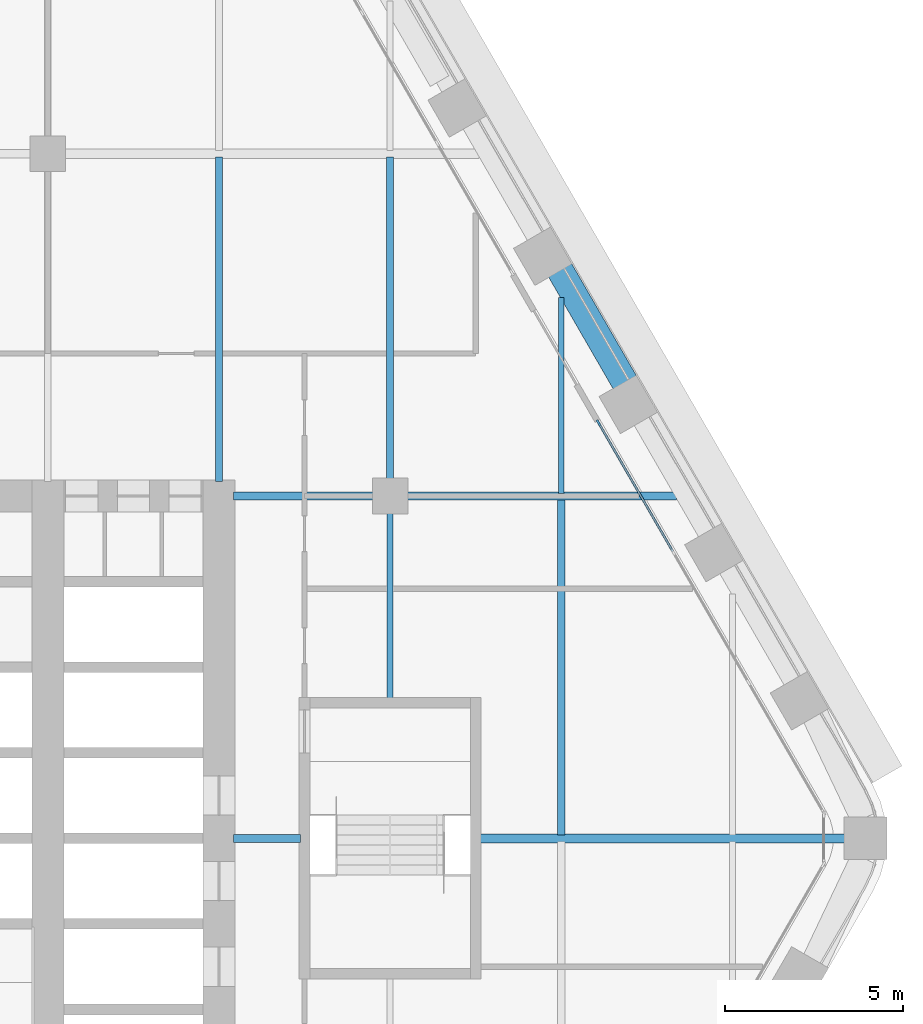
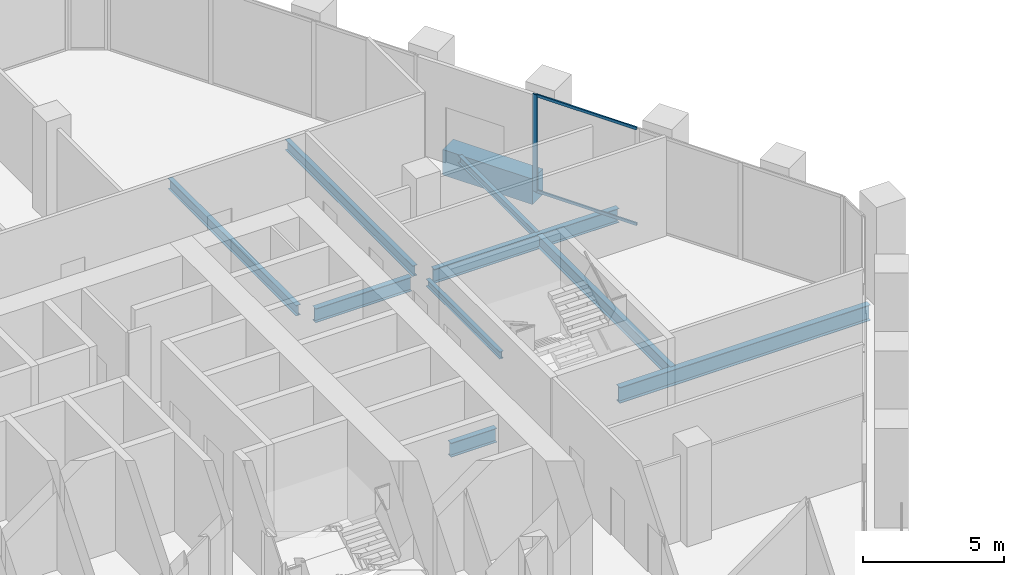
# One storey, part 9 of 26: 10 beams, 3 members, 1 element without a shape of its own.
"""IFC4 building model written with IfcOpenShell, lengths in metres."""

from ifc_helpers import new_model, si_unit, direction, frame, origin, origin_2d, place, context, subcontext, project, spatial, rectangle, i_section, extrude, material, material_profile, profile_set, type_object, element, aggregate, save


model = new_model("IFC4")

# Units and contexts
model_context = context("Model", 3, precision=1e-05, world=origin(), true_north=direction((0.0, 1.0)))
body_context = subcontext(model_context, "Body", "Model", "MODEL_VIEW")
ifc_project = project(units=[si_unit("LENGTHUNIT", "METRE"), si_unit("AREAUNIT", "SQUARE_METRE"), si_unit("VOLUMEUNIT", "CUBIC_METRE"), si_unit("PLANEANGLEUNIT", "RADIAN"), si_unit("MASSUNIT", "GRAM", prefix="KILO")], contexts=[model_context])

# Site, building, storey
site_placement = place(None, origin())
site = spatial("IfcSite", under=ifc_project, at=site_placement, CompositionType="ELEMENT")
building_placement = place(site_placement, origin())
building = spatial("IfcBuilding", under=site, at=building_placement, Name="Kolab Exchange Tower", CompositionType="ELEMENT")
storey_placement = place(building_placement, frame((0.0, 0.0, 104.89990234375)))
storey = spatial("IfcBuildingStorey", under=building, at=storey_placement, Name="L20", CompositionType="ELEMENT", Elevation=104.89990234375)

# Beams
ifc_material_1 = material(Name="Steel S355", Category="steel")
ifc_material_profile_1 = material_profile(ifc_material_1, i_section(OverallWidth=0.1650390625, OverallDepth=0.31005859375, WebThickness=0.005859375, FlangeThickness=0.009765625, at=origin_2d()), Name="W310X39")
ifc_profile_set_1 = profile_set([ifc_material_profile_1], Name="Steel S355")
beam_type_1 = type_object("IfcBeamType", Name="FLOOR BEAM W310X39", PredefinedType="BEAM", material=ifc_profile_set_1)
beam_1_placement = place(storey_placement, frame((19.199951171875, 3.909912109375, -0.35498046875), z_axis=(0.0, 1.0, 0.0), x_axis=(-1.0, 0.0, 0.0)))
element("IfcBeam", 1, at=beam_1_placement, inside=storey, type_object=beam_type_1, Name="beam/L20/fr/043", PredefinedType="BEAM", context=body_context, shape_type="SweptSolid", body=[
    extrude(i_section(OverallWidth=0.1650390625, OverallDepth=0.31005859375, WebThickness=0.005859375, FlangeThickness=0.009765625, at=origin_2d()), origin(), (0.0, 0.0, 1.0), 5.22998046875),
])
beam_2_placement = place(storey_placement, frame((24.0, 9.674072265625, -0.35498046875), z_axis=(0.0, 1.0, 0.0), x_axis=(-1.0, 0.0, 0.0)))
element("IfcBeam", 2, at=beam_2_placement, inside=storey, type_object=beam_type_1, Name="beam/L20/fr/049", PredefinedType="BEAM", context=body_context, shape_type="SweptSolid", body=[
    extrude(i_section(OverallWidth=0.1650390625, OverallDepth=0.31005859375, WebThickness=0.005859375, FlangeThickness=0.009765625, at=origin_2d()), origin(), (0.0, 0.0, 1.0), 5.49365234375),
])
ifc_material_profile_2 = material_profile(ifc_material_1, i_section(OverallWidth=0.18994140625, OverallDepth=0.45703125, WebThickness=0.009033203125, FlangeThickness=0.014404296875, at=origin_2d()), Name="W460X74")
ifc_profile_set_2 = profile_set([ifc_material_profile_2], Name="Steel S355")
beam_type_2 = type_object("IfcBeamType", Name="FLOOR BEAM W460X74", PredefinedType="BEAM", material=ifc_profile_set_2)
beam_3_placement = place(storey_placement, frame((14.39990234375, 10.010009765625, -0.428466796875), z_axis=(0.0, 1.0, 0.0), x_axis=(-1.0, 0.0, 0.0)))
element("IfcBeam", 3, at=beam_3_placement, inside=storey, type_object=beam_type_2, Name="beam/L20/fr/038", PredefinedType="BEAM", context=body_context, shape_type="SweptSolid", body=[
    extrude(i_section(OverallWidth=0.18994140625, OverallDepth=0.45703125, WebThickness=0.009033203125, FlangeThickness=0.014404296875, at=origin_2d()), origin(), (0.0, 0.0, 1.0), 9.096435546875),
])
beam_4_placement = place(storey_placement, frame((19.199951171875, 10.06005859375, -0.428466796875), z_axis=(0.0, 1.0, 0.0), x_axis=(-1.0, 0.0, 0.0)))
element("IfcBeam", 4, at=beam_4_placement, inside=storey, type_object=beam_type_2, Name="beam/L20/fr/044", PredefinedType="BEAM", context=body_context, shape_type="SweptSolid", body=[
    extrude(i_section(OverallWidth=0.18994140625, OverallDepth=0.45703125, WebThickness=0.009033203125, FlangeThickness=0.014404296875, at=origin_2d()), origin(), (0.0, 0.0, 1.0), 9.04638671875),
])
ifc_material_profile_3 = material_profile(ifc_material_1, i_section(OverallWidth=0.208984375, OverallDepth=0.532958984375, WebThickness=0.01025390625, FlangeThickness=0.015625, at=origin_2d()), Name="W530X92")
ifc_profile_set_3 = profile_set([ifc_material_profile_3], Name="Steel S355")
beam_type_3 = type_object("IfcBeamType", Name="FLOOR BEAM W530X92", PredefinedType="BEAM", material=ifc_profile_set_3)
beam_5_placement = place(storey_placement, frame((24.0, 0.0869140625, -0.46630859375), z_axis=(0.0, 1.0, 0.0), x_axis=(-1.0, 0.0, 0.0)))
element("IfcBeam", 5, at=beam_5_placement, inside=storey, type_object=beam_type_3, Name="beam/L20/fr/048", PredefinedType="BEAM", context=body_context, shape_type="SweptSolid", body=[
    extrude(i_section(OverallWidth=0.208984375, OverallDepth=0.532958984375, WebThickness=0.01025390625, FlangeThickness=0.015625, at=origin_2d()), origin(), (0.0, 0.0, 1.0), 9.43896484375),
])
ifc_material_profile_4 = material_profile(ifc_material_1, i_section(OverallWidth=0.22802734375, OverallDepth=0.60791015625, WebThickness=0.01123046875, FlangeThickness=0.017333984375, at=origin_2d()), Name="W610X113")
ifc_profile_set_4 = profile_set([ifc_material_profile_4], Name="Steel S355")
beam_type_4 = type_object("IfcBeamType", Name="FLOOR GIRDER W610X113", PredefinedType="BEAM", material=ifc_profile_set_4)
beam_6_placement = place(storey_placement, frame((14.81005859375, 0.0, -0.50390625), z_axis=(1.0, 0.0, 0.0), x_axis=(0.0, 1.0, 0.0)))
element("IfcBeam", 6, at=beam_6_placement, inside=storey, type_object=beam_type_4, Name="beam/L20/gd/015", PredefinedType="BEAM", context=body_context, shape_type="SweptSolid", body=[
    extrude(i_section(OverallWidth=0.22802734375, OverallDepth=0.60791015625, WebThickness=0.01123046875, FlangeThickness=0.017333984375, at=origin_2d()), origin(), (0.0, 0.0, 1.0), 1.8798828125),
])
beam_7_placement = place(storey_placement, frame((14.81005859375, 9.60009765625, -0.50390625), z_axis=(1.0, 0.0, 0.0), x_axis=(0.0, 1.0, 0.0)))
element("IfcBeam", 7, at=beam_7_placement, inside=storey, type_object=beam_type_4, Name="beam/L20/gd/016", PredefinedType="BEAM", context=body_context, shape_type="SweptSolid", body=[
    extrude(i_section(OverallWidth=0.22802734375, OverallDepth=0.60791015625, WebThickness=0.01123046875, FlangeThickness=0.017333984375, at=origin_2d()), origin(), (0.0, 0.0, 1.0), 3.929931640625),
])
beam_8_placement = place(storey_placement, frame((19.659912109375, 9.60009765625, -0.50390625), z_axis=(1.0, 0.0, 0.0), x_axis=(0.0, 1.0, 0.0)))
element("IfcBeam", 8, at=beam_8_placement, inside=storey, type_object=beam_type_4, Name="beam/L20/gd/018", PredefinedType="BEAM", context=body_context, shape_type="SweptSolid", body=[
    extrude(i_section(OverallWidth=0.22802734375, OverallDepth=0.60791015625, WebThickness=0.01123046875, FlangeThickness=0.017333984375, at=origin_2d()), origin(), (0.0, 0.0, 1.0), 7.571533203125),
])
ifc_material_profile_5 = material_profile(ifc_material_1, i_section(OverallWidth=0.25390625, OverallDepth=0.68408203125, WebThickness=0.012451171875, FlangeThickness=0.018798828125, at=origin_2d()), Name="W690X140")
ifc_profile_set_5 = profile_set([ifc_material_profile_5], Name="Steel S355")
beam_type_5 = type_object("IfcBeamType", Name="FLOOR GIRDER W690X140", PredefinedType="BEAM", material=ifc_profile_set_5)
beam_9_placement = place(storey_placement, frame((21.7099609375, 0.0, -0.5419921875), z_axis=(1.0, 0.0, 0.0), x_axis=(0.0, 1.0, 0.0)))
element("IfcBeam", 9, at=beam_9_placement, inside=storey, type_object=beam_type_5, Name="beam/L20/gd/019", PredefinedType="BEAM", context=body_context, shape_type="SweptSolid", body=[
    extrude(i_section(OverallWidth=0.25390625, OverallDepth=0.68408203125, WebThickness=0.012451171875, FlangeThickness=0.018798828125, at=origin_2d()), origin(), (0.0, 0.0, 1.0), 10.265869140625),
])
ifc_material_2 = material(Name="Concrete C70/85", Category="concrete")
ifc_material_profile_6 = material_profile(ifc_material_2, rectangle(XDim=0.75, YDim=1.10009765625, at=origin_2d()), Name="RC750X1100")
ifc_profile_set_6 = profile_set([ifc_material_profile_6], Name="Concrete C70/85")
beam_type_6 = type_object("IfcBeamType", Name="SPANDREL BEAM 750X1100 C70/85", PredefinedType="BEAM", material=ifc_profile_set_6)
beam_10_placement = place(storey_placement, frame((23.955322265625, 15.955322265625, -0.75), z_axis=(0.499963655964, -0.866046386007, 0.0), x_axis=(0.866046386007, 0.499963655964, 0.0)))
element("IfcBeam", 10, at=beam_10_placement, inside=storey, type_object=beam_type_6, Name="beam/L20/sp/F2-04", PredefinedType="BEAM", context=body_context, shape_type="SweptSolid", body=[
    extrude(rectangle(XDim=0.75, YDim=1.10009765625, at=origin_2d()), origin(), (0.0, 0.0, 1.0), 3.679931640625),
])

# Curtain wall, members
ifc_material_3 = material(Name="Aluminium EN AW-6063 T6", Category="aluminium")
curtain_wall_type = type_object("IfcCurtainWallType", Name="UNITISED LOWER MID ZONE CURTAIN WALL", PredefinedType="NOTDEFINED", material=ifc_material_3)
curtain_wall_placement = place(storey_placement, origin())
curtain_wall = element("IfcCurtainWall", 11, at=curtain_wall_placement, inside=storey, type_object=curtain_wall_type, Name="cw/L20/F2-2", PredefinedType="NOTDEFINED")
ifc_material_profile_7 = material_profile(ifc_material_3, rectangle(XDim=0.06005859375, YDim=0.179931640625, at=origin_2d()), Name="RECT 60X180")
ifc_profile_set_7 = profile_set([ifc_material_profile_7], Name="Aluminium EN AW-6063 T6")
member_type_1 = type_object("IfcMemberType", Name="UNITISED LOWER MID ZONE MULLION 60 X 180", PredefinedType="MULLION", material=ifc_profile_set_7)
member_1_placement = place(storey_placement, frame((25.046630859375, 11.65478515625, 0.0), z_axis=(0.0, 0.0, 1.0), x_axis=(0.866025427826, 0.499999958358, 0.0)))
member_1 = element("IfcMember", 12, at=member_1_placement, type_object=member_type_1, Name="CW2 mullion 1", PredefinedType="MULLION", context=body_context, shape_type="SweptSolid", body=[
    extrude(rectangle(XDim=0.06005859375, YDim=0.179931640625, at=origin_2d()), origin(), (0.0, 0.0, 1.0), 4.2001953125),
])
ifc_material_profile_8 = material_profile(ifc_material_3, rectangle(XDim=0.06005859375, YDim=0.1201171875, at=origin_2d()), Name="RECT 60X120")
ifc_profile_set_8 = profile_set([ifc_material_profile_8], Name="Aluminium EN AW-6063 T6")
member_type_2 = type_object("IfcMemberType", Name="UNITISED LOWER MID ZONE TRANSOM 60 X 120", PredefinedType="USERDEFINED", material=ifc_profile_set_8)
member_2_placement = place(storey_placement, frame((25.061767578125, 11.62890625, 0.030029296875), z_axis=(0.499957688808, -0.866049830784, 0.0), x_axis=(0.866049830784, 0.499957688808, 0.0)))
member_2 = element("IfcMember", 13, at=member_2_placement, type_object=member_type_2, Name="CW2 transom 1.1", ObjectType="TRANSOM", PredefinedType="USERDEFINED", context=body_context, shape_type="SweptSolid", body=[
    extrude(rectangle(XDim=0.06005859375, YDim=0.1201171875, at=origin_2d()), origin(), (0.0, 0.0, 1.0), 4.132568359375),
])
member_3_placement = place(storey_placement, frame((25.061767578125, 11.62890625, 4.170166015625), z_axis=(0.499957688808, -0.866049830784, 0.0), x_axis=(0.866049830784, 0.499957688808, 0.0)))
member_3 = element("IfcMember", 14, at=member_3_placement, type_object=member_type_2, Name="CW2 transom 1.2", ObjectType="TRANSOM", PredefinedType="USERDEFINED", context=body_context, shape_type="SweptSolid", body=[
    extrude(rectangle(XDim=0.06005859375, YDim=0.1201171875, at=origin_2d()), origin(), (0.0, 0.0, 1.0), 4.132568359375),
])
aggregate(curtain_wall, [member_1, member_2, member_3])

save(model, "model.ifc")
